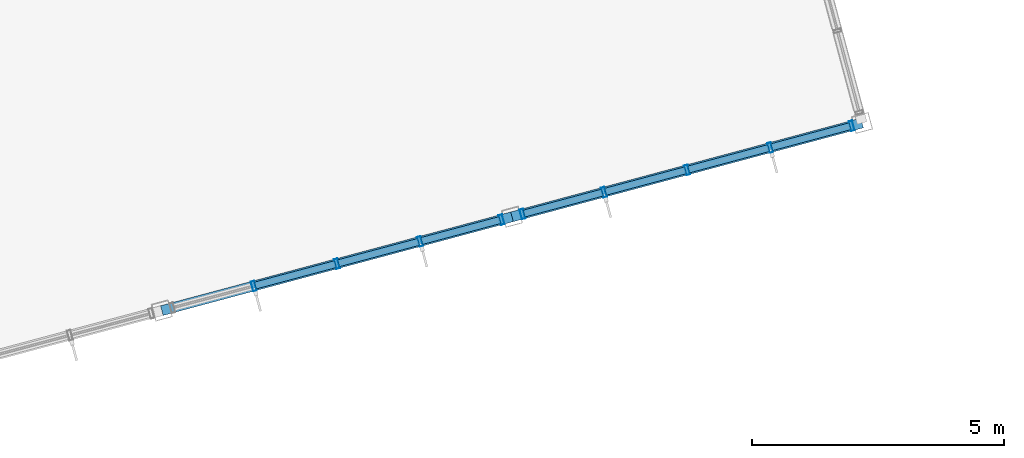
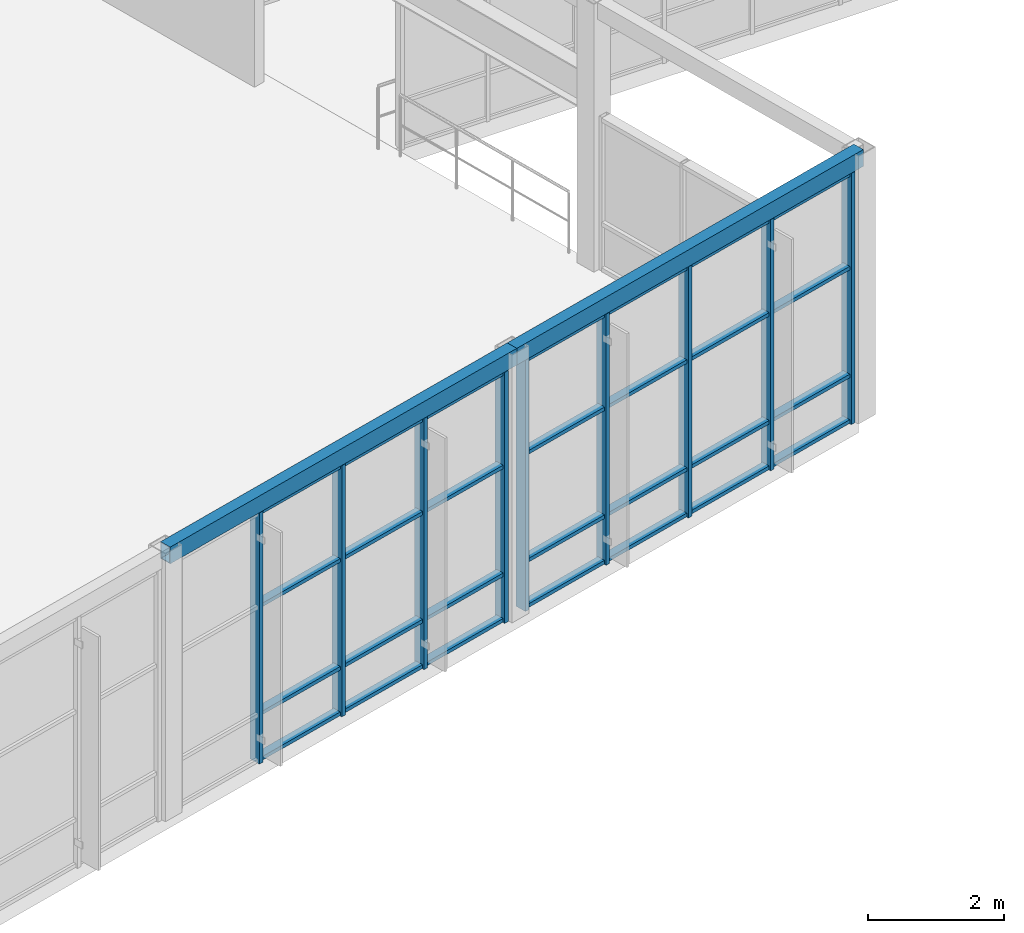
# One storey, part 39 of 99: 37 members, 2 beams, 2 elements without a shape of their own.
"""IFC4 building model written with IfcOpenShell, lengths in metres."""

from ifc_helpers import new_model, si_unit, direction, frame, origin, origin_2d, place, context, subcontext, project, spatial, hollow_rectangle, extrude, material, layer, layer_set, material_profile, profile_set, type_object, element, aggregate, save


model = new_model("IFC4")

# Units and contexts
model_context = context("Model", 3, precision=1e-05, world=origin(), true_north=direction((0.0, 1.0)))
body_context = subcontext(model_context, "Body", "Model", "MODEL_VIEW")
ifc_project = project(units=[si_unit("LENGTHUNIT", "METRE"), si_unit("AREAUNIT", "SQUARE_METRE"), si_unit("VOLUMEUNIT", "CUBIC_METRE"), si_unit("PLANEANGLEUNIT", "RADIAN"), si_unit("MASSUNIT", "GRAM", prefix="KILO")], contexts=[model_context])

# Site, building, storey
site_placement = place(None, origin())
site = spatial("IfcSite", under=ifc_project, at=site_placement, CompositionType="ELEMENT")
building_placement = place(site_placement, origin())
building = spatial("IfcBuilding", under=site, at=building_placement, Name="Ventoquebrada Cableway Terminal", CompositionType="ELEMENT")
storey_placement = place(building_placement, frame((0.0, 0.0, 9.60009765625)))
storey = spatial("IfcBuildingStorey", under=building, at=storey_placement, Name="L02", CompositionType="ELEMENT", Elevation=9.60009765625)

# Curtain wall, members
ifc_material_1 = material(Name="Anodized thermally-broken aluminium", Category="aluminium")
ifc_layer = layer(ifc_material_1, 0.159912109375)
ifc_layer_set = layer_set([ifc_layer], Name="Anodized thermally-broken aluminium")
curtain_wall_type = type_object("IfcCurtainWallType", Name="CW-T40", PredefinedType="USERDEFINED", material=ifc_layer_set)
curtain_wall_1_placement = place(storey_placement, origin())
curtain_wall_1 = element("IfcCurtainWall", 1, at=curtain_wall_1_placement, inside=storey, type_object=curtain_wall_type, Name="Unitised glazed curtain wall CW-104", ObjectType="UNITISED CURTAIN WALL", PredefinedType="USERDEFINED")
ifc_material_profile_1 = material_profile(ifc_material_1, hollow_rectangle(XDim=0.074951171875, YDim=0.199951171875, WallThickness=0.00439453125, at=origin_2d()), Name="CW-MUL-75X200")
ifc_profile_set_1 = profile_set([ifc_material_profile_1], Name="Anodized thermally-broken aluminium")
member_type_1 = type_object("IfcMemberType", Name="CWM-02", PredefinedType="MULLION", material=ifc_profile_set_1)
member_1_placement = place(storey_placement, frame((74.66796875, 75.864013671875, -0.008056640625), z_axis=(0.0, 0.0, 1.0), x_axis=(0.965975498177, 0.258633595888, 0.0)))
member_1 = element("IfcMember", 2, at=member_1_placement, type_object=member_type_1, Name="Curtain wall mullion FML-0506", PredefinedType="MULLION", context=body_context, shape_type="SweptSolid", body=[
    extrude(hollow_rectangle(XDim=0.074951171875, YDim=0.199951171875, WallThickness=0.00439453125, at=origin_2d()), origin(), (0.0, 0.0, 1.0), 4.5029296875),
])
member_2_placement = place(storey_placement, frame((76.320068359375, 76.305908203125, -0.008056640625), z_axis=(0.0, 0.0, 1.0), x_axis=(0.965975498177, 0.258633595888, 0.0)))
member_2 = element("IfcMember", 3, at=member_2_placement, type_object=member_type_1, Name="Curtain wall mullion FML-0507", PredefinedType="MULLION", context=body_context, shape_type="SweptSolid", body=[
    extrude(hollow_rectangle(XDim=0.074951171875, YDim=0.199951171875, WallThickness=0.00439453125, at=origin_2d()), origin(), (0.0, 0.0, 1.0), 4.5029296875),
])
member_3_placement = place(storey_placement, frame((77.970947265625, 76.7490234375, -0.008056640625), z_axis=(0.0, 0.0, 1.0), x_axis=(0.965975498177, 0.258633595888, 0.0)))
member_3 = element("IfcMember", 4, at=member_3_placement, type_object=member_type_1, Name="Curtain wall mullion FML-0508", PredefinedType="MULLION", context=body_context, shape_type="SweptSolid", body=[
    extrude(hollow_rectangle(XDim=0.074951171875, YDim=0.199951171875, WallThickness=0.00439453125, at=origin_2d()), origin(), (0.0, 0.0, 1.0), 4.5029296875),
])
member_4_placement = place(storey_placement, frame((79.589111328125, 77.181884765625, -0.008056640625), z_axis=(0.0, 0.0, 1.0), x_axis=(0.965975498177, 0.258633595888, 0.0)))
member_4 = element("IfcMember", 5, at=member_4_placement, type_object=member_type_1, Name="Curtain wall mullion FML-0509", PredefinedType="MULLION", context=body_context, shape_type="SweptSolid", body=[
    extrude(hollow_rectangle(XDim=0.074951171875, YDim=0.199951171875, WallThickness=0.00439453125, at=origin_2d()), origin(), (0.0, 0.0, 1.0), 4.5029296875),
])

curtain_wall_2_placement = place(storey_placement, origin())
curtain_wall_2 = element("IfcCurtainWall", 6, at=curtain_wall_2_placement, inside=storey, type_object=curtain_wall_type, Name="Unitised glazed curtain wall CW-105", ObjectType="UNITISED CURTAIN WALL", PredefinedType="USERDEFINED")
member_5_placement = place(storey_placement, frame((80.0048828125, 77.2939453125, -0.008056640625), z_axis=(0.0, 0.0, 1.0), x_axis=(0.965930343386, 0.258802186477, 0.0)))
member_5 = element("IfcMember", 7, at=member_5_placement, type_object=member_type_1, Name="Curtain wall mullion FML-0510", PredefinedType="MULLION", context=body_context, shape_type="SweptSolid", body=[
    extrude(hollow_rectangle(XDim=0.074951171875, YDim=0.199951171875, WallThickness=0.00439453125, at=origin_2d()), origin(), (0.0, 0.0, 1.0), 4.5029296875),
])
member_6_placement = place(storey_placement, frame((81.623046875, 77.72705078125, -0.008056640625), z_axis=(0.0, 0.0, 1.0), x_axis=(0.965930343386, 0.258802186477, 0.0)))
member_6 = element("IfcMember", 8, at=member_6_placement, type_object=member_type_1, Name="Curtain wall mullion FML-0511", PredefinedType="MULLION", context=body_context, shape_type="SweptSolid", body=[
    extrude(hollow_rectangle(XDim=0.074951171875, YDim=0.199951171875, WallThickness=0.00439453125, at=origin_2d()), origin(), (0.0, 0.0, 1.0), 4.5029296875),
])
member_7_placement = place(storey_placement, frame((83.27392578125, 78.169921875, -0.008056640625), z_axis=(0.0, 0.0, 1.0), x_axis=(0.965930343386, 0.258802186477, 0.0)))
member_7 = element("IfcMember", 9, at=member_7_placement, type_object=member_type_1, Name="Curtain wall mullion FML-0512", PredefinedType="MULLION", context=body_context, shape_type="SweptSolid", body=[
    extrude(hollow_rectangle(XDim=0.074951171875, YDim=0.199951171875, WallThickness=0.00439453125, at=origin_2d()), origin(), (0.0, 0.0, 1.0), 4.5029296875),
])
member_8_placement = place(storey_placement, frame((84.925048828125, 78.613037109375, -0.008056640625), z_axis=(0.0, 0.0, 1.0), x_axis=(0.965930343386, 0.258802186477, 0.0)))
member_8 = element("IfcMember", 10, at=member_8_placement, type_object=member_type_1, Name="Curtain wall mullion FML-0513", PredefinedType="MULLION", context=body_context, shape_type="SweptSolid", body=[
    extrude(hollow_rectangle(XDim=0.074951171875, YDim=0.199951171875, WallThickness=0.00439453125, at=origin_2d()), origin(), (0.0, 0.0, 1.0), 4.5029296875),
])
member_9_placement = place(storey_placement, frame((86.54296875, 79.0458984375, -0.008056640625), z_axis=(0.0, 0.0, 1.0), x_axis=(0.965930343386, 0.258802186477, 0.0)))
member_9 = element("IfcMember", 11, at=member_9_placement, type_object=member_type_1, Name="Curtain wall mullion FML-0514", PredefinedType="MULLION", context=body_context, shape_type="SweptSolid", body=[
    extrude(hollow_rectangle(XDim=0.074951171875, YDim=0.199951171875, WallThickness=0.00439453125, at=origin_2d()), origin(), (0.0, 0.0, 1.0), 4.5029296875),
])

# Member
ifc_material_profile_2 = material_profile(ifc_material_1, hollow_rectangle(XDim=0.06494140625, YDim=0.139892578125, WallThickness=0.00390625, at=origin_2d()), Name="CW-TRN-65X140")
ifc_profile_set_2 = profile_set([ifc_material_profile_2], Name="Anodized thermally-broken aluminium")
member_type_2 = type_object("IfcMemberType", Name="CWT-01", PredefinedType="USERDEFINED", material=ifc_profile_set_2)
member_10_placement = place(storey_placement, frame((74.698974609375, 75.873046875, 0.034912109375), z_axis=(0.966040060403, 0.25839234063, 0.0), x_axis=(0.0, 0.0, 1.0)))
member_10 = element("IfcMember", 12, at=member_10_placement, type_object=member_type_2, Name="Curtain wall transom FTR-1488", ObjectType="TRANSOM", PredefinedType="USERDEFINED", context=body_context, shape_type="SweptSolid", body=[
    extrude(hollow_rectangle(XDim=0.06494140625, YDim=0.139892578125, WallThickness=0.00390625, at=origin_2d()), origin(), (0.0, 0.0, 1.0), 1.64501953125),
])

member_11_placement = place(storey_placement, frame((74.698974609375, 75.873046875, 0.849853515625), z_axis=(0.966040060403, 0.25839234063, 0.0), x_axis=(0.0, 0.0, 1.0)))
member_11 = element("IfcMember", 13, at=member_11_placement, type_object=member_type_2, Name="Curtain wall transom FTR-1489", ObjectType="TRANSOM", PredefinedType="USERDEFINED", context=body_context, shape_type="SweptSolid", body=[
    extrude(hollow_rectangle(XDim=0.06494140625, YDim=0.139892578125, WallThickness=0.00390625, at=origin_2d()), origin(), (0.0, 0.0, 1.0), 1.64501953125),
])

member_12_placement = place(storey_placement, frame((74.698974609375, 75.873046875, 2.783935546875), z_axis=(0.966040060403, 0.25839234063, 0.0), x_axis=(0.0, 0.0, 1.0)))
member_12 = element("IfcMember", 14, at=member_12_placement, type_object=member_type_2, Name="Curtain wall transom FTR-1490", ObjectType="TRANSOM", PredefinedType="USERDEFINED", context=body_context, shape_type="SweptSolid", body=[
    extrude(hollow_rectangle(XDim=0.06494140625, YDim=0.139892578125, WallThickness=0.00390625, at=origin_2d()), origin(), (0.0, 0.0, 1.0), 1.64501953125),
])

member_13_placement = place(storey_placement, frame((74.698974609375, 75.873046875, 4.454833984375), z_axis=(0.966040060403, 0.25839234063, 0.0), x_axis=(0.0, 0.0, 1.0)))
member_13 = element("IfcMember", 15, at=member_13_placement, type_object=member_type_2, Name="Curtain wall transom FTR-1491", ObjectType="TRANSOM", PredefinedType="USERDEFINED", context=body_context, shape_type="SweptSolid", body=[
    extrude(hollow_rectangle(XDim=0.06494140625, YDim=0.139892578125, WallThickness=0.00390625, at=origin_2d()), origin(), (0.0, 0.0, 1.0), 1.64501953125),
])

member_14_placement = place(storey_placement, frame((76.35107421875, 76.31494140625, 0.034912109375), z_axis=(0.966030149036, 0.258429392974, 0.0), x_axis=(0.0, 0.0, 1.0)))
member_14 = element("IfcMember", 16, at=member_14_placement, type_object=member_type_2, Name="Curtain wall transom FTR-1492", ObjectType="TRANSOM", PredefinedType="USERDEFINED", context=body_context, shape_type="SweptSolid", body=[
    extrude(hollow_rectangle(XDim=0.06494140625, YDim=0.139892578125, WallThickness=0.00390625, at=origin_2d()), origin(), (0.0, 0.0, 1.0), 1.644775390625),
])

member_15_placement = place(storey_placement, frame((76.35107421875, 76.31494140625, 0.849853515625), z_axis=(0.966030149036, 0.258429392974, 0.0), x_axis=(0.0, 0.0, 1.0)))
member_15 = element("IfcMember", 17, at=member_15_placement, type_object=member_type_2, Name="Curtain wall transom FTR-1493", ObjectType="TRANSOM", PredefinedType="USERDEFINED", context=body_context, shape_type="SweptSolid", body=[
    extrude(hollow_rectangle(XDim=0.06494140625, YDim=0.139892578125, WallThickness=0.00390625, at=origin_2d()), origin(), (0.0, 0.0, 1.0), 1.644775390625),
])

member_16_placement = place(storey_placement, frame((76.35107421875, 76.31494140625, 2.783935546875), z_axis=(0.966030149036, 0.258429392974, 0.0), x_axis=(0.0, 0.0, 1.0)))
member_16 = element("IfcMember", 18, at=member_16_placement, type_object=member_type_2, Name="Curtain wall transom FTR-1494", ObjectType="TRANSOM", PredefinedType="USERDEFINED", context=body_context, shape_type="SweptSolid", body=[
    extrude(hollow_rectangle(XDim=0.06494140625, YDim=0.139892578125, WallThickness=0.00390625, at=origin_2d()), origin(), (0.0, 0.0, 1.0), 1.644775390625),
])

member_17_placement = place(storey_placement, frame((76.35107421875, 76.31494140625, 4.454833984375), z_axis=(0.966030149036, 0.258429392974, 0.0), x_axis=(0.0, 0.0, 1.0)))
member_17 = element("IfcMember", 19, at=member_17_placement, type_object=member_type_2, Name="Curtain wall transom FTR-1495", ObjectType="TRANSOM", PredefinedType="USERDEFINED", context=body_context, shape_type="SweptSolid", body=[
    extrude(hollow_rectangle(XDim=0.06494140625, YDim=0.139892578125, WallThickness=0.00390625, at=origin_2d()), origin(), (0.0, 0.0, 1.0), 1.644775390625),
])

member_18_placement = place(storey_placement, frame((78.0029296875, 76.757080078125, 0.034912109375), z_axis=(0.965881701481, 0.258983665013, 0.0), x_axis=(0.0, 0.0, 1.0)))
member_18 = element("IfcMember", 20, at=member_18_placement, type_object=member_type_2, Name="Curtain wall transom FTR-1496", ObjectType="TRANSOM", PredefinedType="USERDEFINED", context=body_context, shape_type="SweptSolid", body=[
    extrude(hollow_rectangle(XDim=0.06494140625, YDim=0.139892578125, WallThickness=0.00390625, at=origin_2d()), origin(), (0.0, 0.0, 1.0), 1.610107421875),
])

member_19_placement = place(storey_placement, frame((78.0029296875, 76.757080078125, 0.849853515625), z_axis=(0.965881701481, 0.258983665013, 0.0), x_axis=(0.0, 0.0, 1.0)))
member_19 = element("IfcMember", 21, at=member_19_placement, type_object=member_type_2, Name="Curtain wall transom FTR-1497", ObjectType="TRANSOM", PredefinedType="USERDEFINED", context=body_context, shape_type="SweptSolid", body=[
    extrude(hollow_rectangle(XDim=0.06494140625, YDim=0.139892578125, WallThickness=0.00390625, at=origin_2d()), origin(), (0.0, 0.0, 1.0), 1.610107421875),
])

member_20_placement = place(storey_placement, frame((78.0029296875, 76.757080078125, 2.783935546875), z_axis=(0.965881701481, 0.258983665013, 0.0), x_axis=(0.0, 0.0, 1.0)))
member_20 = element("IfcMember", 22, at=member_20_placement, type_object=member_type_2, Name="Curtain wall transom FTR-1498", ObjectType="TRANSOM", PredefinedType="USERDEFINED", context=body_context, shape_type="SweptSolid", body=[
    extrude(hollow_rectangle(XDim=0.06494140625, YDim=0.139892578125, WallThickness=0.00390625, at=origin_2d()), origin(), (0.0, 0.0, 1.0), 1.610107421875),
])

member_21_placement = place(storey_placement, frame((78.0029296875, 76.757080078125, 4.454833984375), z_axis=(0.965881701481, 0.258983665013, 0.0), x_axis=(0.0, 0.0, 1.0)))
member_21 = element("IfcMember", 23, at=member_21_placement, type_object=member_type_2, Name="Curtain wall transom FTR-1499", ObjectType="TRANSOM", PredefinedType="USERDEFINED", context=body_context, shape_type="SweptSolid", body=[
    extrude(hollow_rectangle(XDim=0.06494140625, YDim=0.139892578125, WallThickness=0.00390625, at=origin_2d()), origin(), (0.0, 0.0, 1.0), 1.610107421875),
])

aggregate(curtain_wall_1, [member_1, member_2, member_3, member_4, member_10, member_11, member_12, member_13, member_14, member_15, member_16, member_17, member_18, member_19, member_20, member_21])

member_22_placement = place(storey_placement, frame((80.035888671875, 77.302001953125, 0.034912109375), z_axis=(0.965881701481, 0.258983665013, 0.0), x_axis=(0.0, 0.0, 1.0)))
member_22 = element("IfcMember", 24, at=member_22_placement, type_object=member_type_2, Name="Curtain wall transom FTR-1500", ObjectType="TRANSOM", PredefinedType="USERDEFINED", context=body_context, shape_type="SweptSolid", body=[
    extrude(hollow_rectangle(XDim=0.06494140625, YDim=0.139892578125, WallThickness=0.00390625, at=origin_2d()), origin(), (0.0, 0.0, 1.0), 1.610107421875),
])

member_23_placement = place(storey_placement, frame((80.035888671875, 77.302001953125, 0.849853515625), z_axis=(0.965881701481, 0.258983665013, 0.0), x_axis=(0.0, 0.0, 1.0)))
member_23 = element("IfcMember", 25, at=member_23_placement, type_object=member_type_2, Name="Curtain wall transom FTR-1501", ObjectType="TRANSOM", PredefinedType="USERDEFINED", context=body_context, shape_type="SweptSolid", body=[
    extrude(hollow_rectangle(XDim=0.06494140625, YDim=0.139892578125, WallThickness=0.00390625, at=origin_2d()), origin(), (0.0, 0.0, 1.0), 1.610107421875),
])

member_24_placement = place(storey_placement, frame((80.035888671875, 77.302001953125, 2.783935546875), z_axis=(0.965881701481, 0.258983665013, 0.0), x_axis=(0.0, 0.0, 1.0)))
member_24 = element("IfcMember", 26, at=member_24_placement, type_object=member_type_2, Name="Curtain wall transom FTR-1502", ObjectType="TRANSOM", PredefinedType="USERDEFINED", context=body_context, shape_type="SweptSolid", body=[
    extrude(hollow_rectangle(XDim=0.06494140625, YDim=0.139892578125, WallThickness=0.00390625, at=origin_2d()), origin(), (0.0, 0.0, 1.0), 1.610107421875),
])

member_25_placement = place(storey_placement, frame((80.035888671875, 77.302001953125, 4.454833984375), z_axis=(0.965881701481, 0.258983665013, 0.0), x_axis=(0.0, 0.0, 1.0)))
member_25 = element("IfcMember", 27, at=member_25_placement, type_object=member_type_2, Name="Curtain wall transom FTR-1503", ObjectType="TRANSOM", PredefinedType="USERDEFINED", context=body_context, shape_type="SweptSolid", body=[
    extrude(hollow_rectangle(XDim=0.06494140625, YDim=0.139892578125, WallThickness=0.00390625, at=origin_2d()), origin(), (0.0, 0.0, 1.0), 1.610107421875),
])

member_26_placement = place(storey_placement, frame((81.654052734375, 77.736083984375, 0.034912109375), z_axis=(0.965881783076, 0.258983360705, 0.0), x_axis=(0.0, 0.0, 1.0)))
member_26 = element("IfcMember", 28, at=member_26_placement, type_object=member_type_2, Name="Curtain wall transom FTR-1504", ObjectType="TRANSOM", PredefinedType="USERDEFINED", context=body_context, shape_type="SweptSolid", body=[
    extrude(hollow_rectangle(XDim=0.06494140625, YDim=0.139892578125, WallThickness=0.00390625, at=origin_2d()), origin(), (0.0, 0.0, 1.0), 1.64501953125),
])

member_27_placement = place(storey_placement, frame((81.654052734375, 77.736083984375, 0.849853515625), z_axis=(0.965881783076, 0.258983360705, 0.0), x_axis=(0.0, 0.0, 1.0)))
member_27 = element("IfcMember", 29, at=member_27_placement, type_object=member_type_2, Name="Curtain wall transom FTR-1505", ObjectType="TRANSOM", PredefinedType="USERDEFINED", context=body_context, shape_type="SweptSolid", body=[
    extrude(hollow_rectangle(XDim=0.06494140625, YDim=0.139892578125, WallThickness=0.00390625, at=origin_2d()), origin(), (0.0, 0.0, 1.0), 1.64501953125),
])

member_28_placement = place(storey_placement, frame((81.654052734375, 77.736083984375, 2.783935546875), z_axis=(0.965881783076, 0.258983360705, 0.0), x_axis=(0.0, 0.0, 1.0)))
member_28 = element("IfcMember", 30, at=member_28_placement, type_object=member_type_2, Name="Curtain wall transom FTR-1506", ObjectType="TRANSOM", PredefinedType="USERDEFINED", context=body_context, shape_type="SweptSolid", body=[
    extrude(hollow_rectangle(XDim=0.06494140625, YDim=0.139892578125, WallThickness=0.00390625, at=origin_2d()), origin(), (0.0, 0.0, 1.0), 1.64501953125),
])

member_29_placement = place(storey_placement, frame((81.654052734375, 77.736083984375, 4.454833984375), z_axis=(0.965881783076, 0.258983360705, 0.0), x_axis=(0.0, 0.0, 1.0)))
member_29 = element("IfcMember", 31, at=member_29_placement, type_object=member_type_2, Name="Curtain wall transom FTR-1507", ObjectType="TRANSOM", PredefinedType="USERDEFINED", context=body_context, shape_type="SweptSolid", body=[
    extrude(hollow_rectangle(XDim=0.06494140625, YDim=0.139892578125, WallThickness=0.00390625, at=origin_2d()), origin(), (0.0, 0.0, 1.0), 1.64501953125),
])

member_30_placement = place(storey_placement, frame((83.304931640625, 78.177978515625, 0.034912109375), z_axis=(0.965891735452, 0.258946240339, 0.0), x_axis=(0.0, 0.0, 1.0)))
member_30 = element("IfcMember", 32, at=member_30_placement, type_object=member_type_2, Name="Curtain wall transom FTR-1508", ObjectType="TRANSOM", PredefinedType="USERDEFINED", context=body_context, shape_type="SweptSolid", body=[
    extrude(hollow_rectangle(XDim=0.06494140625, YDim=0.139892578125, WallThickness=0.00390625, at=origin_2d()), origin(), (0.0, 0.0, 1.0), 1.645263671875),
])

member_31_placement = place(storey_placement, frame((83.304931640625, 78.177978515625, 0.849853515625), z_axis=(0.965891735452, 0.258946240339, 0.0), x_axis=(0.0, 0.0, 1.0)))
member_31 = element("IfcMember", 33, at=member_31_placement, type_object=member_type_2, Name="Curtain wall transom FTR-1509", ObjectType="TRANSOM", PredefinedType="USERDEFINED", context=body_context, shape_type="SweptSolid", body=[
    extrude(hollow_rectangle(XDim=0.06494140625, YDim=0.139892578125, WallThickness=0.00390625, at=origin_2d()), origin(), (0.0, 0.0, 1.0), 1.645263671875),
])

member_32_placement = place(storey_placement, frame((83.304931640625, 78.177978515625, 2.783935546875), z_axis=(0.965891735452, 0.258946240339, 0.0), x_axis=(0.0, 0.0, 1.0)))
member_32 = element("IfcMember", 34, at=member_32_placement, type_object=member_type_2, Name="Curtain wall transom FTR-1510", ObjectType="TRANSOM", PredefinedType="USERDEFINED", context=body_context, shape_type="SweptSolid", body=[
    extrude(hollow_rectangle(XDim=0.06494140625, YDim=0.139892578125, WallThickness=0.00390625, at=origin_2d()), origin(), (0.0, 0.0, 1.0), 1.645263671875),
])

member_33_placement = place(storey_placement, frame((83.304931640625, 78.177978515625, 4.454833984375), z_axis=(0.965891735452, 0.258946240339, 0.0), x_axis=(0.0, 0.0, 1.0)))
member_33 = element("IfcMember", 35, at=member_33_placement, type_object=member_type_2, Name="Curtain wall transom FTR-1511", ObjectType="TRANSOM", PredefinedType="USERDEFINED", context=body_context, shape_type="SweptSolid", body=[
    extrude(hollow_rectangle(XDim=0.06494140625, YDim=0.139892578125, WallThickness=0.00390625, at=origin_2d()), origin(), (0.0, 0.0, 1.0), 1.645263671875),
])

member_34_placement = place(storey_placement, frame((84.95703125, 78.62109375, 0.034912109375), z_axis=(0.965871529052, 0.259021600192, 0.0), x_axis=(0.0, 0.0, 1.0)))
member_34 = element("IfcMember", 36, at=member_34_placement, type_object=member_type_2, Name="Curtain wall transom FTR-1512", ObjectType="TRANSOM", PredefinedType="USERDEFINED", context=body_context, shape_type="SweptSolid", body=[
    extrude(hollow_rectangle(XDim=0.06494140625, YDim=0.139892578125, WallThickness=0.00390625, at=origin_2d()), origin(), (0.0, 0.0, 1.0), 1.60986328125),
])

member_35_placement = place(storey_placement, frame((84.95703125, 78.62109375, 0.849853515625), z_axis=(0.965871529052, 0.259021600192, 0.0), x_axis=(0.0, 0.0, 1.0)))
member_35 = element("IfcMember", 37, at=member_35_placement, type_object=member_type_2, Name="Curtain wall transom FTR-1513", ObjectType="TRANSOM", PredefinedType="USERDEFINED", context=body_context, shape_type="SweptSolid", body=[
    extrude(hollow_rectangle(XDim=0.06494140625, YDim=0.139892578125, WallThickness=0.00390625, at=origin_2d()), origin(), (0.0, 0.0, 1.0), 1.60986328125),
])

member_36_placement = place(storey_placement, frame((84.95703125, 78.62109375, 2.783935546875), z_axis=(0.965871529052, 0.259021600192, 0.0), x_axis=(0.0, 0.0, 1.0)))
member_36 = element("IfcMember", 38, at=member_36_placement, type_object=member_type_2, Name="Curtain wall transom FTR-1514", ObjectType="TRANSOM", PredefinedType="USERDEFINED", context=body_context, shape_type="SweptSolid", body=[
    extrude(hollow_rectangle(XDim=0.06494140625, YDim=0.139892578125, WallThickness=0.00390625, at=origin_2d()), origin(), (0.0, 0.0, 1.0), 1.60986328125),
])

member_37_placement = place(storey_placement, frame((84.95703125, 78.62109375, 4.454833984375), z_axis=(0.965871529052, 0.259021600192, 0.0), x_axis=(0.0, 0.0, 1.0)))
member_37 = element("IfcMember", 39, at=member_37_placement, type_object=member_type_2, Name="Curtain wall transom FTR-1515", ObjectType="TRANSOM", PredefinedType="USERDEFINED", context=body_context, shape_type="SweptSolid", body=[
    extrude(hollow_rectangle(XDim=0.06494140625, YDim=0.139892578125, WallThickness=0.00390625, at=origin_2d()), origin(), (0.0, 0.0, 1.0), 1.60986328125),
])

aggregate(curtain_wall_2, [member_5, member_6, member_7, member_8, member_9, member_22, member_23, member_24, member_25, member_26, member_27, member_28, member_29, member_30, member_31, member_32, member_33, member_34, member_35, member_36, member_37])

# Beams
ifc_material_2 = material(Name="Steel ASTM A500 Grade C", Category="steel")
ifc_material_profile_3 = material_profile(ifc_material_2, hollow_rectangle(XDim=0.199951171875, YDim=0.300048828125, WallThickness=0.012451171875, at=origin_2d()), Name="RHS300X200X12.5")
ifc_profile_set_3 = profile_set([ifc_material_profile_3], Name="Steel ASTM A500 Grade C")
beam_type = type_object("IfcBeamType", Name="SP-ST02", PredefinedType="SPANDREL", material=ifc_profile_set_3)
beam_1_placement = place(storey_placement, frame((72.842041015625, 75.375, 4.64990234375), z_axis=(0.965945630245, 0.258745124417, 0.0), x_axis=(-0.258745124417, 0.965945630245, 0.0)))
element("IfcBeam", 40, at=beam_1_placement, inside=storey, type_object=beam_type, Name="Boarding hall perimeter tie beam FBM-1092", PredefinedType="SPANDREL", context=body_context, shape_type="SweptSolid", body=[
    extrude(hollow_rectangle(XDim=0.199951171875, YDim=0.300048828125, WallThickness=0.012451171875, at=origin_2d()), origin(), (0.0, 0.0, 1.0), 7.2001953125),
])
beam_2_placement = place(storey_placement, frame((79.797119140625, 77.238037109375, 4.64990234375), z_axis=(0.965900361292, 0.258914063071, 0.0), x_axis=(-0.258914063071, 0.965900361292, 0.0)))
element("IfcBeam", 41, at=beam_2_placement, inside=storey, type_object=beam_type, Name="Boarding hall perimeter tie beam FBM-1093", PredefinedType="SPANDREL", context=body_context, shape_type="SweptSolid", body=[
    extrude(hollow_rectangle(XDim=0.199951171875, YDim=0.300048828125, WallThickness=0.012451171875, at=origin_2d()), origin(), (0.0, 0.0, 1.0), 7.199462890625),
])

save(model, "model.ifc")
